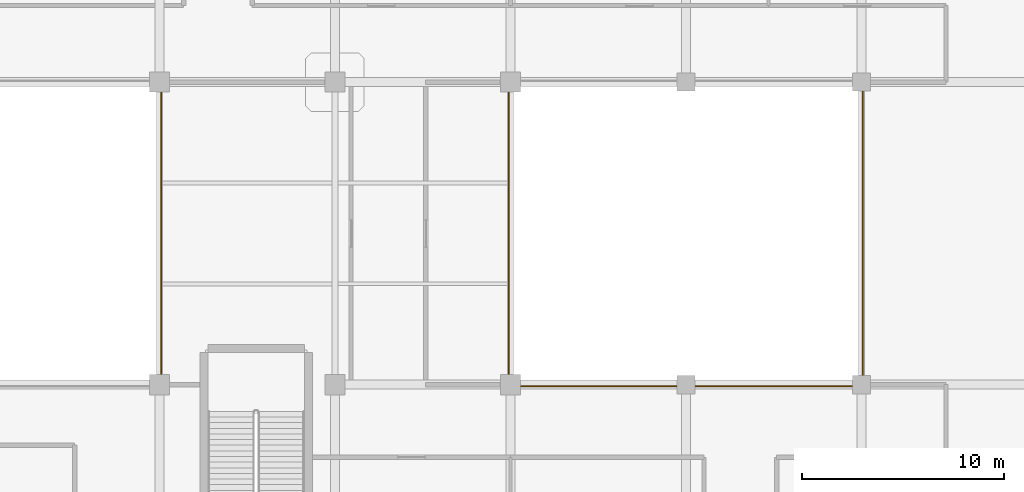
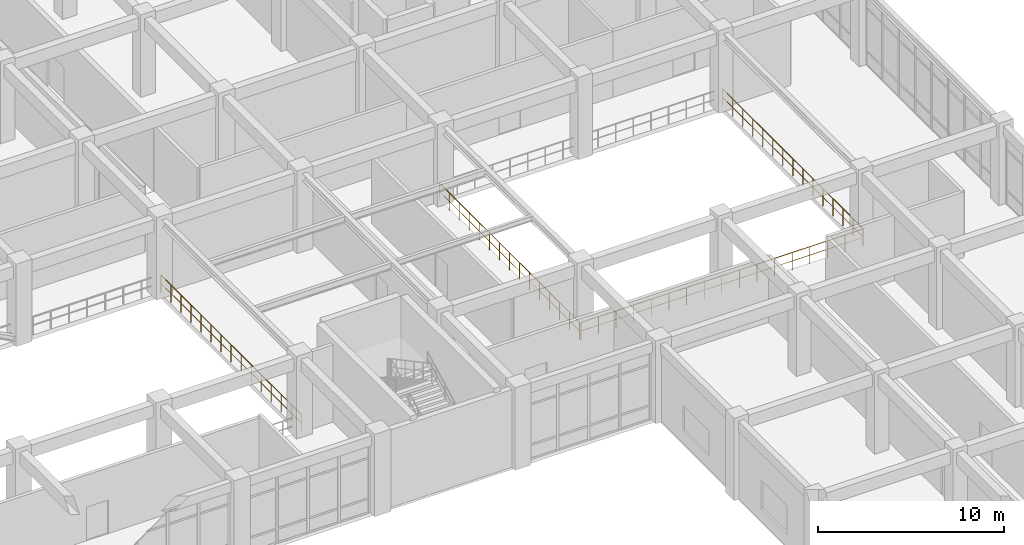
# One storey, part 108 of 114: 4 railings.
"""IFC4 building model written with IfcOpenShell, lengths in metres."""

from ifc_helpers import new_model, si_unit, derived_unit, direction, frame, origin, origin_2d, place, context, subcontext, project, spatial, circle, extrude, material, type_object, element, save


model = new_model("IFC4")

# Units and contexts
model_context = context("Model", 3, precision=1e-05, world=origin(), true_north=direction((0.0, 1.0)))
body_context = subcontext(model_context, "Body", "Model", "MODEL_VIEW")
ifc_project = project(units=[si_unit("LENGTHUNIT", "METRE"), si_unit("AREAUNIT", "SQUARE_METRE"), si_unit("VOLUMEUNIT", "CUBIC_METRE"), si_unit("PLANEANGLEUNIT", "RADIAN"), si_unit("MASSUNIT", "GRAM", prefix="KILO"), derived_unit("THERMALTRANSMITTANCEUNIT", [(si_unit("MASSUNIT", "GRAM", prefix="KILO"), 1), (si_unit("TIMEUNIT", "SECOND"), -3), (si_unit("THERMODYNAMICTEMPERATUREUNIT", "KELVIN"), -1)])], contexts=[model_context])

# Site, building, storey
site_placement = place(None, origin())
site = spatial("IfcSite", under=ifc_project, at=site_placement, CompositionType="ELEMENT")
building_placement = place(site_placement, origin())
building = spatial("IfcBuilding", under=site, at=building_placement, Name="Qinzheling Arcade Emporium", CompositionType="ELEMENT")
storey_placement = place(building_placement, frame((0.0, 0.0, 6.0)))
storey = spatial("IfcBuildingStorey", under=building, at=storey_placement, Name="L02", CompositionType="ELEMENT", Elevation=6.0)

# Railings
ifc_material = material(Name="Galvanised powder-coated tubular steel", Category="steel")
railing_type = type_object("IfcRailingType", Name="Painted Steel Stairwell Guard Railing 1150", PredefinedType="GUARDRAIL", material=ifc_material)
railing_1_placement = place(storey_placement, frame((87.080078125, 50.3701171875, 0.0)))
element("IfcRailing", 1, at=railing_1_placement, inside=storey, type_object=railing_type, Name="Atrium Void Guard L02 E", PredefinedType="GUARDRAIL", context=body_context, shape_type="SweptSolid", body=[
    extrude(circle(Radius=0.02392578125, at=origin_2d()), frame((0.0, 0.0, 1.1259765625), z_axis=(0.0, 1.0, 0.0), x_axis=(-1.0, 0.0, 0.0)), (0.0, 0.0, 1.0), 15.059814453125),
    extrude(circle(Radius=0.01611328125, at=origin_2d()), frame((0.0, 0.0, 0.574951171875), z_axis=(0.0, 1.0, 0.0), x_axis=(-1.0, 0.0, 0.0)), (0.0, 0.0, 1.0), 15.059814453125),
    extrude(circle(Radius=0.02099609375, at=origin_2d()), origin(), (0.0, 0.0, 1.0), 1.101806640625),
    extrude(circle(Radius=0.02099609375, at=origin_2d()), frame((0.0, 1.07568359375, 0.0)), (0.0, 0.0, 1.0), 1.101806640625),
    extrude(circle(Radius=0.02099609375, at=origin_2d()), frame((0.0, 2.1513671875, 0.0)), (0.0, 0.0, 1.0), 1.101806640625),
    extrude(circle(Radius=0.02099609375, at=origin_2d()), frame((0.0, 3.22705078125, 0.0)), (0.0, 0.0, 1.0), 1.101806640625),
    extrude(circle(Radius=0.02099609375, at=origin_2d()), frame((0.0, 4.302734375, 0.0)), (0.0, 0.0, 1.0), 1.101806640625),
    extrude(circle(Radius=0.02099609375, at=origin_2d()), frame((0.0, 5.37841796875, 0.0)), (0.0, 0.0, 1.0), 1.101806640625),
    extrude(circle(Radius=0.02099609375, at=origin_2d()), frame((0.0, 6.4541015625, 0.0)), (0.0, 0.0, 1.0), 1.101806640625),
    extrude(circle(Radius=0.02099609375, at=origin_2d()), frame((0.0, 7.52978515625, 0.0)), (0.0, 0.0, 1.0), 1.101806640625),
    extrude(circle(Radius=0.02099609375, at=origin_2d()), frame((0.0, 8.605712890625, 0.0)), (0.0, 0.0, 1.0), 1.101806640625),
    extrude(circle(Radius=0.02099609375, at=origin_2d()), frame((0.0, 9.681396484375, 0.0)), (0.0, 0.0, 1.0), 1.101806640625),
    extrude(circle(Radius=0.02099609375, at=origin_2d()), frame((0.0, 10.757080078125, 0.0)), (0.0, 0.0, 1.0), 1.101806640625),
    extrude(circle(Radius=0.02099609375, at=origin_2d()), frame((0.0, 11.832763671875, 0.0)), (0.0, 0.0, 1.0), 1.101806640625),
    extrude(circle(Radius=0.02099609375, at=origin_2d()), frame((0.0, 12.908447265625, 0.0)), (0.0, 0.0, 1.0), 1.101806640625),
    extrude(circle(Radius=0.02099609375, at=origin_2d()), frame((0.0, 13.984130859375, 0.0)), (0.0, 0.0, 1.0), 1.101806640625),
    extrude(circle(Radius=0.02099609375, at=origin_2d()), frame((0.0, 15.059814453125, 0.0)), (0.0, 0.0, 1.0), 1.101806640625),
])
railing_2_placement = place(storey_placement, frame((104.3701171875, 50.320068359375, 0.0)))
element("IfcRailing", 2, at=railing_2_placement, inside=storey, type_object=railing_type, Name="Arcade Void Guard L02 S", PredefinedType="GUARDRAIL", context=body_context, shape_type="SweptSolid", body=[
    extrude(circle(Radius=0.02392578125, at=origin_2d()), frame((0.0, 0.0, 1.1259765625), z_axis=(1.0, 0.0, 0.0), x_axis=(0.0, 1.0, 0.0)), (0.0, 0.0, 1.0), 17.4599609375),
    extrude(circle(Radius=0.01611328125, at=origin_2d()), frame((0.0, 0.0, 0.574951171875), z_axis=(1.0, 0.0, 0.0), x_axis=(0.0, 1.0, 0.0)), (0.0, 0.0, 1.0), 17.4599609375),
    extrude(circle(Radius=0.02099609375, at=origin_2d()), origin(), (0.0, 0.0, 1.0), 1.101806640625),
    extrude(circle(Radius=0.02099609375, at=origin_2d()), frame((1.09130859375, 0.0, 0.0)), (0.0, 0.0, 1.0), 1.101806640625),
    extrude(circle(Radius=0.02099609375, at=origin_2d()), frame((2.1826171875, 0.0, 0.0)), (0.0, 0.0, 1.0), 1.101806640625),
    extrude(circle(Radius=0.02099609375, at=origin_2d()), frame((3.273681640625, 0.0, 0.0)), (0.0, 0.0, 1.0), 1.101806640625),
    extrude(circle(Radius=0.02099609375, at=origin_2d()), frame((4.364990234375, 0.0, 0.0)), (0.0, 0.0, 1.0), 1.101806640625),
    extrude(circle(Radius=0.02099609375, at=origin_2d()), frame((5.456298828125, 0.0, 0.0)), (0.0, 0.0, 1.0), 1.101806640625),
    extrude(circle(Radius=0.02099609375, at=origin_2d()), frame((6.54736328125, 0.0, 0.0)), (0.0, 0.0, 1.0), 1.101806640625),
    extrude(circle(Radius=0.02099609375, at=origin_2d()), frame((7.638671875, 0.0, 0.0)), (0.0, 0.0, 1.0), 1.101806640625),
    extrude(circle(Radius=0.02099609375, at=origin_2d()), frame((8.72998046875, 0.0, 0.0)), (0.0, 0.0, 1.0), 1.101806640625),
    extrude(circle(Radius=0.02099609375, at=origin_2d()), frame((9.8212890625, 0.0, 0.0)), (0.0, 0.0, 1.0), 1.101806640625),
    extrude(circle(Radius=0.02099609375, at=origin_2d()), frame((10.91259765625, 0.0, 0.0)), (0.0, 0.0, 1.0), 1.101806640625),
    extrude(circle(Radius=0.02099609375, at=origin_2d()), frame((12.003662109375, 0.0, 0.0)), (0.0, 0.0, 1.0), 1.101806640625),
    extrude(circle(Radius=0.02099609375, at=origin_2d()), frame((13.094970703125, 0.0, 0.0)), (0.0, 0.0, 1.0), 1.101806640625),
    extrude(circle(Radius=0.02099609375, at=origin_2d()), frame((14.186279296875, 0.0, 0.0)), (0.0, 0.0, 1.0), 1.101806640625),
    extrude(circle(Radius=0.02099609375, at=origin_2d()), frame((15.27734375, 0.0, 0.0)), (0.0, 0.0, 1.0), 1.101806640625),
    extrude(circle(Radius=0.02099609375, at=origin_2d()), frame((16.36865234375, 0.0, 0.0)), (0.0, 0.0, 1.0), 1.101806640625),
    extrude(circle(Radius=0.02099609375, at=origin_2d()), frame((17.4599609375, 0.0, 0.0)), (0.0, 0.0, 1.0), 1.101806640625),
])
railing_3_placement = place(storey_placement, frame((104.320068359375, 50.3701171875, 0.0)))
element("IfcRailing", 3, at=railing_3_placement, inside=storey, type_object=railing_type, Name="Arcade Void Guard L02 W", PredefinedType="GUARDRAIL", context=body_context, shape_type="SweptSolid", body=[
    extrude(circle(Radius=0.02392578125, at=origin_2d()), frame((0.0, 0.0, 1.1259765625), z_axis=(0.0, 1.0, 0.0), x_axis=(-1.0, 0.0, 0.0)), (0.0, 0.0, 1.0), 15.059814453125),
    extrude(circle(Radius=0.01611328125, at=origin_2d()), frame((0.0, 0.0, 0.574951171875), z_axis=(0.0, 1.0, 0.0), x_axis=(-1.0, 0.0, 0.0)), (0.0, 0.0, 1.0), 15.059814453125),
    extrude(circle(Radius=0.02099609375, at=origin_2d()), origin(), (0.0, 0.0, 1.0), 1.101806640625),
    extrude(circle(Radius=0.02099609375, at=origin_2d()), frame((0.0, 1.07568359375, 0.0)), (0.0, 0.0, 1.0), 1.101806640625),
    extrude(circle(Radius=0.02099609375, at=origin_2d()), frame((0.0, 2.1513671875, 0.0)), (0.0, 0.0, 1.0), 1.101806640625),
    extrude(circle(Radius=0.02099609375, at=origin_2d()), frame((0.0, 3.22705078125, 0.0)), (0.0, 0.0, 1.0), 1.101806640625),
    extrude(circle(Radius=0.02099609375, at=origin_2d()), frame((0.0, 4.302734375, 0.0)), (0.0, 0.0, 1.0), 1.101806640625),
    extrude(circle(Radius=0.02099609375, at=origin_2d()), frame((0.0, 5.37841796875, 0.0)), (0.0, 0.0, 1.0), 1.101806640625),
    extrude(circle(Radius=0.02099609375, at=origin_2d()), frame((0.0, 6.4541015625, 0.0)), (0.0, 0.0, 1.0), 1.101806640625),
    extrude(circle(Radius=0.02099609375, at=origin_2d()), frame((0.0, 7.52978515625, 0.0)), (0.0, 0.0, 1.0), 1.101806640625),
    extrude(circle(Radius=0.02099609375, at=origin_2d()), frame((0.0, 8.605712890625, 0.0)), (0.0, 0.0, 1.0), 1.101806640625),
    extrude(circle(Radius=0.02099609375, at=origin_2d()), frame((0.0, 9.681396484375, 0.0)), (0.0, 0.0, 1.0), 1.101806640625),
    extrude(circle(Radius=0.02099609375, at=origin_2d()), frame((0.0, 10.757080078125, 0.0)), (0.0, 0.0, 1.0), 1.101806640625),
    extrude(circle(Radius=0.02099609375, at=origin_2d()), frame((0.0, 11.832763671875, 0.0)), (0.0, 0.0, 1.0), 1.101806640625),
    extrude(circle(Radius=0.02099609375, at=origin_2d()), frame((0.0, 12.908447265625, 0.0)), (0.0, 0.0, 1.0), 1.101806640625),
    extrude(circle(Radius=0.02099609375, at=origin_2d()), frame((0.0, 13.984130859375, 0.0)), (0.0, 0.0, 1.0), 1.101806640625),
    extrude(circle(Radius=0.02099609375, at=origin_2d()), frame((0.0, 15.059814453125, 0.0)), (0.0, 0.0, 1.0), 1.101806640625),
])
railing_4_placement = place(storey_placement, frame((121.8798828125, 50.3701171875, 0.0)))
element("IfcRailing", 4, at=railing_4_placement, inside=storey, type_object=railing_type, Name="Arcade Void Guard L02 E", PredefinedType="GUARDRAIL", context=body_context, shape_type="SweptSolid", body=[
    extrude(circle(Radius=0.02392578125, at=origin_2d()), frame((0.0, 0.0, 1.1259765625), z_axis=(0.0, 1.0, 0.0), x_axis=(-1.0, 0.0, 0.0)), (0.0, 0.0, 1.0), 15.059814453125),
    extrude(circle(Radius=0.01611328125, at=origin_2d()), frame((0.0, 0.0, 0.574951171875), z_axis=(0.0, 1.0, 0.0), x_axis=(-1.0, 0.0, 0.0)), (0.0, 0.0, 1.0), 15.059814453125),
    extrude(circle(Radius=0.02099609375, at=origin_2d()), origin(), (0.0, 0.0, 1.0), 1.101806640625),
    extrude(circle(Radius=0.02099609375, at=origin_2d()), frame((0.0, 1.07568359375, 0.0)), (0.0, 0.0, 1.0), 1.101806640625),
    extrude(circle(Radius=0.02099609375, at=origin_2d()), frame((0.0, 2.1513671875, 0.0)), (0.0, 0.0, 1.0), 1.101806640625),
    extrude(circle(Radius=0.02099609375, at=origin_2d()), frame((0.0, 3.22705078125, 0.0)), (0.0, 0.0, 1.0), 1.101806640625),
    extrude(circle(Radius=0.02099609375, at=origin_2d()), frame((0.0, 4.302734375, 0.0)), (0.0, 0.0, 1.0), 1.101806640625),
    extrude(circle(Radius=0.02099609375, at=origin_2d()), frame((0.0, 5.37841796875, 0.0)), (0.0, 0.0, 1.0), 1.101806640625),
    extrude(circle(Radius=0.02099609375, at=origin_2d()), frame((0.0, 6.4541015625, 0.0)), (0.0, 0.0, 1.0), 1.101806640625),
    extrude(circle(Radius=0.02099609375, at=origin_2d()), frame((0.0, 7.52978515625, 0.0)), (0.0, 0.0, 1.0), 1.101806640625),
    extrude(circle(Radius=0.02099609375, at=origin_2d()), frame((0.0, 8.605712890625, 0.0)), (0.0, 0.0, 1.0), 1.101806640625),
    extrude(circle(Radius=0.02099609375, at=origin_2d()), frame((0.0, 9.681396484375, 0.0)), (0.0, 0.0, 1.0), 1.101806640625),
    extrude(circle(Radius=0.02099609375, at=origin_2d()), frame((0.0, 10.757080078125, 0.0)), (0.0, 0.0, 1.0), 1.101806640625),
    extrude(circle(Radius=0.02099609375, at=origin_2d()), frame((0.0, 11.832763671875, 0.0)), (0.0, 0.0, 1.0), 1.101806640625),
    extrude(circle(Radius=0.02099609375, at=origin_2d()), frame((0.0, 12.908447265625, 0.0)), (0.0, 0.0, 1.0), 1.101806640625),
    extrude(circle(Radius=0.02099609375, at=origin_2d()), frame((0.0, 13.984130859375, 0.0)), (0.0, 0.0, 1.0), 1.101806640625),
    extrude(circle(Radius=0.02099609375, at=origin_2d()), frame((0.0, 15.059814453125, 0.0)), (0.0, 0.0, 1.0), 1.101806640625),
])

save(model, "model.ifc")
